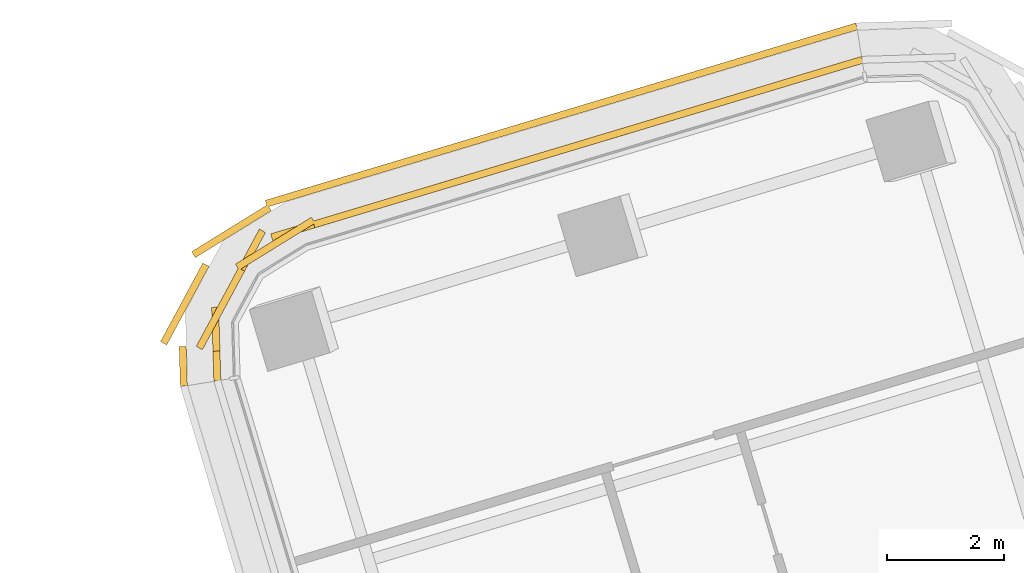
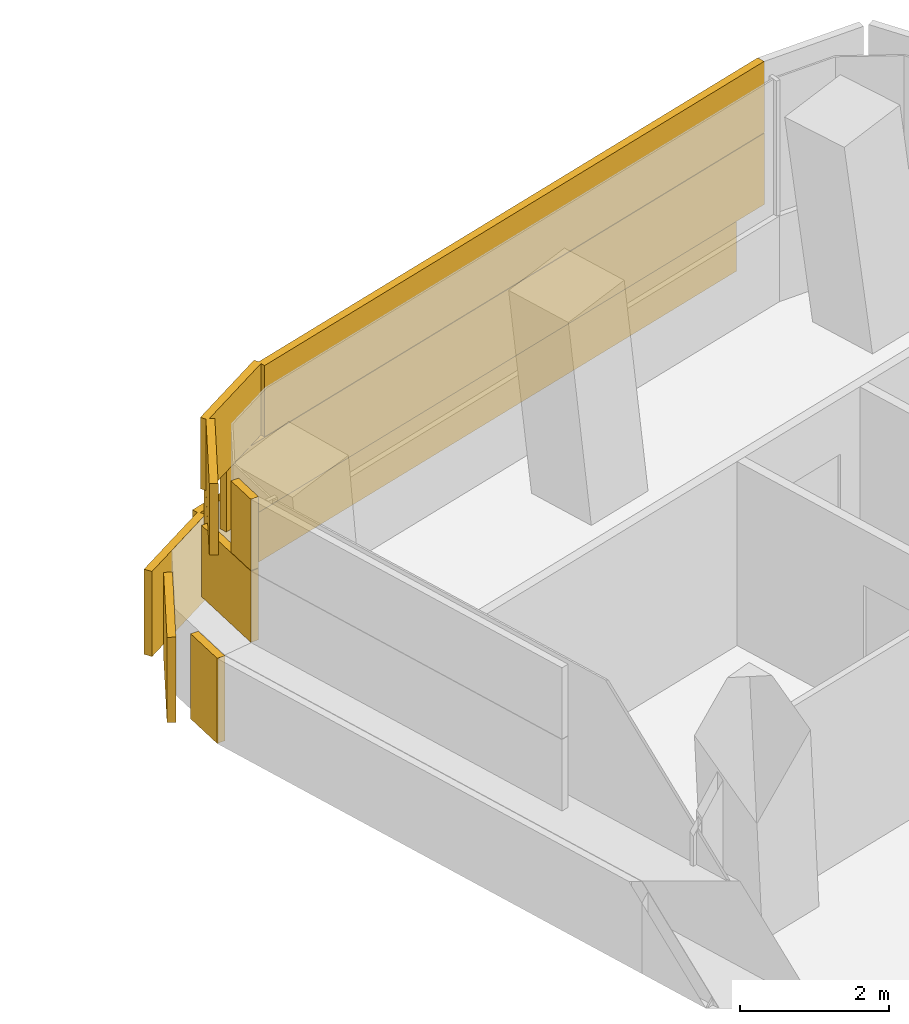
# One storey, part 32 of 32: 1 covering.
"""IFC4 building model written with IfcOpenShell, lengths in metres."""

from ifc_helpers import new_model, si_unit, direction, frame, origin, origin_2d, place, context, subcontext, project, spatial, rectangle, extrude, material, layer, layer_set, type_object, element, save


model = new_model("IFC4")

# Units and contexts
model_context = context("Model", 3, precision=1e-05, world=origin(), true_north=direction((0.0, 1.0)))
body_context = subcontext(model_context, "Body", "Model", "MODEL_VIEW")
ifc_project = project(units=[si_unit("LENGTHUNIT", "METRE"), si_unit("AREAUNIT", "SQUARE_METRE"), si_unit("VOLUMEUNIT", "CUBIC_METRE"), si_unit("PLANEANGLEUNIT", "RADIAN"), si_unit("MASSUNIT", "GRAM", prefix="KILO")], contexts=[model_context])

# Site, building, storey
site_placement = place(None, origin())
site = spatial("IfcSite", under=ifc_project, at=site_placement, CompositionType="ELEMENT")
building_placement = place(site_placement, origin())
building = spatial("IfcBuilding", under=site, at=building_placement, Name="Tamarind Cross Interchange Tower", CompositionType="ELEMENT")
storey_placement = place(building_placement, frame((0.0, 0.0, 94.75)))
storey = spatial("IfcBuildingStorey", under=building, at=storey_placement, Name="L22", CompositionType="ELEMENT", Elevation=94.75)

# Covering
ifc_material = material(Name="Terracotta", Category="masonry")
ifc_layer = layer(ifc_material, 0.1201171875)
ifc_layer_set = layer_set([ifc_layer], Name="Terracotta")
covering_type = type_object("IfcCoveringType", Name="Terracotta baguette screen unit", PredefinedType="MOLDING", material=ifc_layer_set)
covering_placement = place(storey_placement, origin())
element("IfcCovering", 1, at=covering_placement, inside=storey, type_object=covering_type, Name="SCR-L22-00-00", PredefinedType="MOLDING", context=body_context, shape_type="SweptSolid", body=[
    extrude(rectangle(XDim=1.510009765625, YDim=0.1201171875, at=origin_2d()), frame((-3.7451171875, 49.28662109375, 1.404052734375), z_axis=(0.0, 0.0, 1.0), x_axis=(-0.957738195167, -0.287641355717, 0.0)), (0.0, 0.0, 1.0), 1.1669921875),
    extrude(rectangle(XDim=1.52001953125, YDim=0.1201171875, at=origin_2d()), frame((-5.181884765625, 48.85498046875, 1.404052734375), z_axis=(0.0, 0.0, 1.0), x_axis=(-0.957738195167, -0.287641355717, 0.0)), (0.0, 0.0, 1.0), 1.1669921875),
    extrude(rectangle(XDim=1.52001953125, YDim=0.1201171875, at=origin_2d()), frame((-6.618408203125, 48.423583984375, 1.404052734375), z_axis=(0.0, 0.0, 1.0), x_axis=(-0.957738195167, -0.287641355717, 0.0)), (0.0, 0.0, 1.0), 1.1669921875),
    extrude(rectangle(XDim=1.52001953125, YDim=0.1201171875, at=origin_2d()), frame((-8.054931640625, 47.9921875, 1.404052734375), z_axis=(0.0, 0.0, 1.0), x_axis=(-0.957738195167, -0.287641355717, 0.0)), (0.0, 0.0, 1.0), 1.1669921875),
    extrude(rectangle(XDim=1.52001953125, YDim=0.1201171875, at=origin_2d()), frame((-9.49169921875, 47.560791015625, 1.404052734375), z_axis=(0.0, 0.0, 1.0), x_axis=(-0.957738195167, -0.287641355717, 0.0)), (0.0, 0.0, 1.0), 1.1669921875),
    extrude(rectangle(XDim=1.52001953125, YDim=0.1201171875, at=origin_2d()), frame((-10.92822265625, 47.129150390625, 1.404052734375), z_axis=(0.0, 0.0, 1.0), x_axis=(-0.957738195167, -0.287641355717, 0.0)), (0.0, 0.0, 1.0), 1.1669921875),
    extrude(rectangle(XDim=1.52001953125, YDim=0.1201171875, at=origin_2d()), frame((-12.36474609375, 46.69775390625, 1.404052734375), z_axis=(0.0, 0.0, 1.0), x_axis=(-0.957738195167, -0.287641355717, 0.0)), (0.0, 0.0, 1.0), 1.1669921875),
    extrude(rectangle(XDim=1.52001953125, YDim=0.1201171875, at=origin_2d()), frame((-13.611572265625, 45.91943359375, 1.404052734375), z_axis=(0.0, 0.0, 1.0), x_axis=(-0.473830019227, -0.880616325581, 0.0)), (0.0, 0.0, 1.0), 1.1669921875),
    extrude(rectangle(XDim=1.259521484375, YDim=0.1201171875, at=origin_2d()), frame((-14.038330078125, 44.655517578125, 1.404052734375), z_axis=(0.0, 0.0, 1.0), x_axis=(0.029959329064, -0.999551118554, 0.0)), (0.0, 0.0, 1.0), 1.1669921875),
    extrude(rectangle(XDim=0.760009765625, YDim=0.1201171875, at=origin_2d()), frame((-3.385986328125, 49.39453125, 2.5791015625), z_axis=(0.0, 0.0, 1.0), x_axis=(-0.957738195167, -0.287641355717, 0.0)), (0.0, 0.0, 1.0), 1.1669921875),
    extrude(rectangle(XDim=1.52001953125, YDim=0.1201171875, at=origin_2d()), frame((-4.46337890625, 49.07080078125, 2.5791015625), z_axis=(0.0, 0.0, 1.0), x_axis=(-0.957738195167, -0.287641355717, 0.0)), (0.0, 0.0, 1.0), 1.1669921875),
    extrude(rectangle(XDim=1.52001953125, YDim=0.1201171875, at=origin_2d()), frame((-5.900146484375, 48.639404296875, 2.5791015625), z_axis=(0.0, 0.0, 1.0), x_axis=(-0.957738195167, -0.287641355717, 0.0)), (0.0, 0.0, 1.0), 1.1669921875),
    extrude(rectangle(XDim=1.52001953125, YDim=0.1201171875, at=origin_2d()), frame((-7.336669921875, 48.2080078125, 2.5791015625), z_axis=(0.0, 0.0, 1.0), x_axis=(-0.957738195167, -0.287641355717, 0.0)), (0.0, 0.0, 1.0), 1.1669921875),
    extrude(rectangle(XDim=1.52001953125, YDim=0.1201171875, at=origin_2d()), frame((-8.773193359375, 47.7763671875, 2.5791015625), z_axis=(0.0, 0.0, 1.0), x_axis=(-0.957738195167, -0.287641355717, 0.0)), (0.0, 0.0, 1.0), 1.1669921875),
    extrude(rectangle(XDim=1.52001953125, YDim=0.1201171875, at=origin_2d()), frame((-10.2099609375, 47.344970703125, 2.5791015625), z_axis=(0.0, 0.0, 1.0), x_axis=(-0.957738195167, -0.287641355717, 0.0)), (0.0, 0.0, 1.0), 1.1669921875),
    extrude(rectangle(XDim=1.52001953125, YDim=0.1201171875, at=origin_2d()), frame((-11.646484375, 46.91357421875, 2.5791015625), z_axis=(0.0, 0.0, 1.0), x_axis=(-0.957738195167, -0.287641355717, 0.0)), (0.0, 0.0, 1.0), 1.1669921875),
    extrude(rectangle(XDim=1.52001953125, YDim=0.1201171875, at=origin_2d()), frame((-13.0322265625, 46.36865234375, 2.5791015625), z_axis=(0.0, 0.0, 1.0), x_axis=(-0.850656996517, -0.525721099327, 0.0)), (0.0, 0.0, 1.0), 1.1669921875),
    extrude(rectangle(XDim=1.52001953125, YDim=0.1201171875, at=origin_2d()), frame((-13.967041015625, 45.2587890625, 2.5791015625), z_axis=(0.0, 0.0, 1.0), x_axis=(-0.473830019227, -0.880616325581, 0.0)), (0.0, 0.0, 1.0), 1.1669921875),
    extrude(rectangle(XDim=0.509521484375, YDim=0.1201171875, at=origin_2d()), frame((-14.027099609375, 44.28076171875, 2.5791015625), z_axis=(0.0, 0.0, 1.0), x_axis=(0.029959329064, -0.999551118554, 0.0)), (0.0, 0.0, 1.0), 1.1669921875),
    extrude(rectangle(XDim=1.510009765625, YDim=0.1201171875, at=origin_2d()), frame((-3.8427734375, 49.856689453125, 0.00390625), z_axis=(0.0, 0.0, 1.0), x_axis=(-0.957738195167, -0.287641355717, 0.0)), (0.0, 0.0, 1.0), 1.39208984375),
    extrude(rectangle(XDim=1.52001953125, YDim=0.1201171875, at=origin_2d()), frame((-5.2744140625, 49.426513671875, 0.00390625), z_axis=(0.0, 0.0, 1.0), x_axis=(-0.957738195167, -0.287641355717, 0.0)), (0.0, 0.0, 1.0), 1.39208984375),
    extrude(rectangle(XDim=1.52001953125, YDim=0.1201171875, at=origin_2d()), frame((-6.711181640625, 48.9951171875, 0.00390625), z_axis=(0.0, 0.0, 1.0), x_axis=(-0.957738195167, -0.287641355717, 0.0)), (0.0, 0.0, 1.0), 1.39208984375),
    extrude(rectangle(XDim=1.52001953125, YDim=0.1201171875, at=origin_2d()), frame((-8.147705078125, 48.563720703125, 0.00390625), z_axis=(0.0, 0.0, 1.0), x_axis=(-0.957738195167, -0.287641355717, 0.0)), (0.0, 0.0, 1.0), 1.39208984375),
    extrude(rectangle(XDim=1.52001953125, YDim=0.1201171875, at=origin_2d()), frame((-9.584228515625, 48.132080078125, 0.00390625), z_axis=(0.0, 0.0, 1.0), x_axis=(-0.957738195167, -0.287641355717, 0.0)), (0.0, 0.0, 1.0), 1.39208984375),
    extrude(rectangle(XDim=1.52001953125, YDim=0.1201171875, at=origin_2d()), frame((-11.02099609375, 47.70068359375, 0.00390625), z_axis=(0.0, 0.0, 1.0), x_axis=(-0.957738195167, -0.287641355717, 0.0)), (0.0, 0.0, 1.0), 1.39208984375),
    extrude(rectangle(XDim=1.52001953125, YDim=0.1201171875, at=origin_2d()), frame((-12.45751953125, 47.269287109375, 0.00390625), z_axis=(0.0, 0.0, 1.0), x_axis=(-0.957738195167, -0.287641355717, 0.0)), (0.0, 0.0, 1.0), 1.39208984375),
    extrude(rectangle(XDim=1.52001953125, YDim=0.1201171875, at=origin_2d()), frame((-13.779052734375, 46.581787109375, 0.00390625), z_axis=(0.0, 0.0, 1.0), x_axis=(-0.850656996517, -0.525721099327, 0.0)), (0.0, 0.0, 1.0), 1.39208984375),
    extrude(rectangle(XDim=1.52001953125, YDim=0.1201171875, at=origin_2d()), frame((-14.57470703125, 45.3408203125, 0.00390625), z_axis=(0.0, 0.0, 1.0), x_axis=(-0.473830019227, -0.880616325581, 0.0)), (0.0, 0.0, 1.0), 1.39208984375),
    extrude(rectangle(XDim=0.6767578125, YDim=0.1201171875, at=origin_2d()), frame((-14.60107421875, 44.27685546875, 0.00390625), z_axis=(0.0, 0.0, 1.0), x_axis=(0.029959329064, -0.999551118554, 0.0)), (0.0, 0.0, 1.0), 1.39208984375),
])

save(model, "model.ifc")
